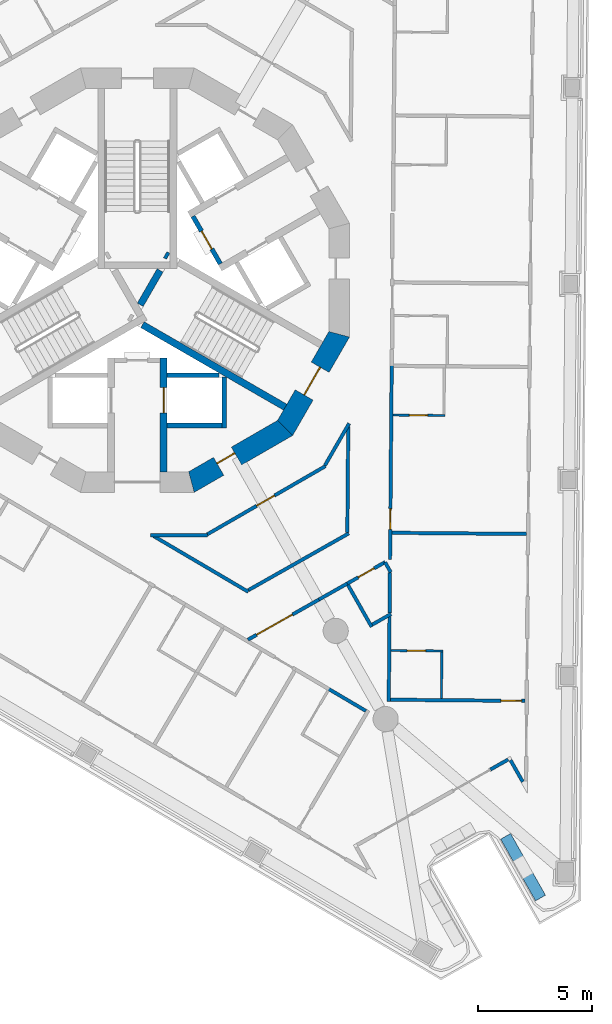
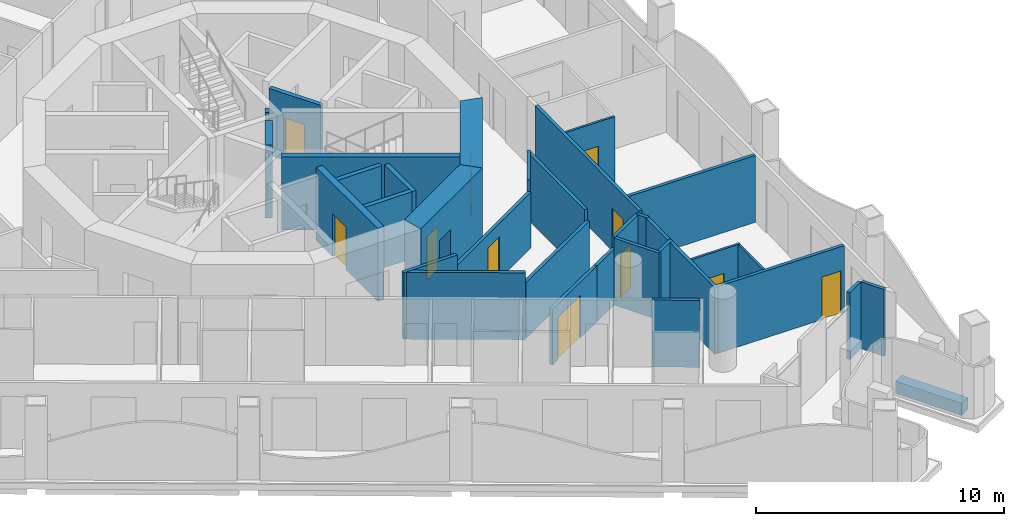
# One storey, part 5 of 17: 34 walls, 11 doors, 11 openings.
"""IFC4 building model written with IfcOpenShell, lengths in metres."""

import ifcopenshell
import ifcopenshell.guid

model = None  # the IFC model being written
_history = None  # IfcOwnerHistory: only IFC2X3 demands one
_inside = {}  # id of a spatial element -> (the spatial element, [elements in it])
_under = {}  # id of a project, library or spatial element -> (it, [spatial elements below it])
_declared = {}  # id of a project -> (the project, [libraries it declares])
_typed = {}  # id of a type object -> (the type object, [elements of that type])
_made_of = {}  # id of a material, layer set ... -> (it, [elements and type objects made of it])


def new_model(schema):
    """Start an empty IFC model of exactly this schema.

    Asked for "IFC4X3", IfcOpenShell would pick the latest addendum, in which some entities
    have other attributes; the version numbers below select the first issue.
    IFC2X3 requires an IfcOwnerHistory on every rooted entity: one is made here for all.
    """
    global model, _history
    if schema == "IFC4X3":
        model = ifcopenshell.file(schema_version=(4, 3, 0, 0))
    else:
        model = ifcopenshell.file(schema=schema)
    _inside.clear()
    _under.clear()
    _declared.clear()
    _typed.clear()
    _made_of.clear()
    _history = None
    if model.schema == "IFC2X3":
        org = make("IfcOrganization", Name="unknown")
        user = make(
            "IfcPersonAndOrganization",
            ThePerson=make("IfcPerson", FamilyName="unknown"),
            TheOrganization=org,
        )
        app = make(
            "IfcApplication",
            ApplicationDeveloper=org,
            Version="unknown",
            ApplicationFullName="unknown",
            ApplicationIdentifier="unknown",
        )
        _history = make(
            "IfcOwnerHistory",
            OwningUser=user,
            OwningApplication=app,
            ChangeAction="ADDED",
            CreationDate=0,
        )
    return model


def make(cls, **values):
    """One entity of the class cls with the attributes given. An attribute that is None is left unset."""
    return model.create_entity(
        cls, **{name: value for name, value in values.items() if value is not None}
    )


def rooted(cls, **values):
    """An entity with a GlobalId (a new one), such as an element, a storey or a relation."""
    return make(cls, GlobalId=ifcopenshell.guid.new(), OwnerHistory=_history, **values)


def si_unit(unit_type, name, prefix=None):
    """IfcSIUnit, for example si_unit("LENGTHUNIT", "METRE", prefix="MILLI")."""
    return make("IfcSIUnit", UnitType=unit_type, Prefix=prefix, Name=name)


def assignment(units):
    """IfcUnitAssignment: the units of a project."""
    return None if units is None else make("IfcUnitAssignment", Units=units)


def point(xyz):
    """IfcCartesianPoint."""
    return None if xyz is None else make("IfcCartesianPoint", Coordinates=xyz)


def direction(xyz):
    """IfcDirection."""
    return None if xyz is None else make("IfcDirection", DirectionRatios=xyz)


def frame(location, z_axis=None, x_axis=None):
    """IfcAxis2Placement3D, a coordinate frame: its origin and axes. An axis left out is left unset."""
    return make(
        "IfcAxis2Placement3D",
        Location=point(location),
        Axis=direction(z_axis),
        RefDirection=direction(x_axis),
    )


def frame_2d(location, x_axis=None):
    """IfcAxis2Placement2D, a coordinate frame in the plane: its origin and x axis."""
    return make(
        "IfcAxis2Placement2D", Location=point(location), RefDirection=direction(x_axis)
    )


def origin():
    """The frame at (0, 0, 0) with its axes left unset."""
    return frame((0.0, 0.0, 0.0))


def place(relative_to, where):
    """IfcLocalPlacement: puts the frame where relative to a parent placement (None: the world)."""
    return make(
        "IfcLocalPlacement", PlacementRelTo=relative_to, RelativePlacement=where
    )


def context(
    kind, dimensions, precision=None, world=None, true_north=None, identifier=None
):
    """IfcGeometricRepresentationContext, for example the 3D "Model" context."""
    return make(
        "IfcGeometricRepresentationContext",
        ContextIdentifier=identifier,
        ContextType=kind,
        CoordinateSpaceDimension=dimensions,
        Precision=precision,
        WorldCoordinateSystem=world,
        TrueNorth=true_north,
    )


def subcontext(parent, identifier, kind, view, scale=None):
    """IfcGeometricRepresentationSubContext, for example "Body" below "Model"."""
    return make(
        "IfcGeometricRepresentationSubContext",
        ContextIdentifier=identifier,
        ContextType=kind,
        ParentContext=parent,
        TargetScale=scale,
        TargetView=view,
    )


def project(units=None, contexts=None):
    """IfcProject with its units and contexts."""
    return rooted(
        "IfcProject",
        Name="project",
        RepresentationContexts=contexts,
        UnitsInContext=assignment(units),
    )


def spatial(cls, under=None, at=None, **own):
    """A site, building, storey or space (cls), placed at a placement, below another one or the project."""
    s = rooted(cls, ObjectPlacement=at, **own)
    if under is not None:
        _under.setdefault(under.id(), (under, []))[1].append(s)
    return s


def polyline(points):
    """IfcPolyline through the points."""
    return make("IfcPolyline", Points=[point(p) for p in points])


def profile(cls, at=None, kind="AREA", **sizes):
    """A parametric profile (cls). Its sizes go by their IFC names, for example OverallWidth=200.0."""
    return make(cls, ProfileType=kind, Position=at, **sizes)


def rectangle(**sizes):
    """IfcRectangleProfileDef."""
    return profile("IfcRectangleProfileDef", **sizes)


def outline(outer, holes=None, kind="AREA"):
    """IfcArbitraryClosedProfileDef: a profile drawn as a closed curve; with holes, ...WithVoids."""
    if holes is None:
        return make("IfcArbitraryClosedProfileDef", ProfileType=kind, OuterCurve=outer)
    return make(
        "IfcArbitraryProfileDefWithVoids",
        ProfileType=kind,
        OuterCurve=outer,
        InnerCurves=holes,
    )


def extrude(swept, where, along, depth):
    """IfcExtrudedAreaSolid: the profile swept, set in the frame where, extruded along a direction by depth."""
    return make(
        "IfcExtrudedAreaSolid",
        SweptArea=swept,
        Position=where,
        ExtrudedDirection=direction(along),
        Depth=depth,
    )


def shape(context_of_items, identifier, shape_type, items):
    """IfcShapeRepresentation: the items that make up one representation, for example the "Body"."""
    return make(
        "IfcShapeRepresentation",
        ContextOfItems=context_of_items,
        RepresentationIdentifier=identifier,
        RepresentationType=shape_type,
        Items=items,
    )


def material(Name=None, Category=None):
    """IfcMaterial."""
    return make("IfcMaterial", Name=Name, Category=Category)


def layer(
    of_material, thickness, ventilated=None, Name=None, Category=None, Priority=None
):
    """IfcMaterialLayer: one layer of a wall or slab, of a material (None: an air gap)."""
    return make(
        "IfcMaterialLayer",
        Material=of_material,
        LayerThickness=thickness,
        IsVentilated=ventilated,
        Name=Name,
        Category=Category,
        Priority=Priority,
    )


def layer_set(layers, Name=None):
    """IfcMaterialLayerSet."""
    return make("IfcMaterialLayerSet", MaterialLayers=layers, LayerSetName=Name)


def made_of(thing, what):
    """Note that an element or type object is made of a material, layer set ...; save() writes the relation."""
    if what is not None:
        _made_of.setdefault(what.id(), (what, []))[1].append(thing)
    return thing


def type_object(cls, material=None, **own):
    """A type object (cls), such as IfcWallType, which elements share."""
    return made_of(rooted(cls, **own), material)


def element(
    cls,
    number,
    at=None,
    inside=None,
    cuts=None,
    type_object=None,
    material=None,
    context=None,
    identifier="Body",
    shape_type=None,
    held_by="IfcProductDefinitionShape",
    body=None,
    shapes=None,
    **own,
):
    """One element of the class cls, such as IfcWall. Its Tag is "e" and its number.

    at: its placement. inside: the storey or other place that contains it. cuts: it is an
    opening in that element (IfcRelVoidsElement). A single representation is given by context,
    identifier, shape_type and body (its items); several are given by shapes. held_by: the class
    of the entity that holds the representations. save() writes the other relations.
    """
    e = rooted(cls, Tag="e%d" % number, ObjectPlacement=at, **own)
    if body is not None:
        shapes = [shape(context, identifier, shape_type, body)]
    if shapes is not None:
        e.Representation = make(held_by, Representations=shapes)
    if inside is not None:
        _inside.setdefault(inside.id(), (inside, []))[1].append(e)
    if cuts is not None:
        rooted(
            "IfcRelVoidsElement", RelatingBuildingElement=cuts, RelatedOpeningElement=e
        )
    if type_object is not None:
        _typed.setdefault(type_object.id(), (type_object, []))[1].append(e)
    return made_of(e, material)


def fill(opening, filler):
    """IfcRelFillsElement: the door or window that sits in an opening."""
    return rooted(
        "IfcRelFillsElement",
        RelatingOpeningElement=opening,
        RelatedBuildingElement=filler,
    )


def aggregate(whole, parts):
    """IfcRelAggregates: a whole, such as a stair, and the parts it consists of."""
    return rooted("IfcRelAggregates", RelatingObject=whole, RelatedObjects=parts)


def save(model, path):
    """Write the relations noted so far, then the file.

    IfcRelAggregates (storeys below a building ...), IfcRelContainedInSpatialStructure (elements
    in a storey), IfcRelDefinesByType, IfcRelAssociatesMaterial and IfcRelDeclares: one each for
    every whole, place, type object, material and project.
    """
    for whole, parts in _under.values():
        aggregate(whole, parts)
    for where, things in _inside.values():
        rooted(
            "IfcRelContainedInSpatialStructure",
            RelatedElements=things,
            RelatingStructure=where,
        )
    for kind, things in _typed.values():
        rooted("IfcRelDefinesByType", RelatedObjects=things, RelatingType=kind)
    for what, things in _made_of.values():
        rooted("IfcRelAssociatesMaterial", RelatedObjects=things, RelatingMaterial=what)
    for by, libraries in _declared.values():
        rooted("IfcRelDeclares", RelatingContext=by, RelatedDefinitions=libraries)
    model.write(path)


model = new_model("IFC4")

# Units and contexts
model_context = context("Model", 3, precision=1e-05, world=origin(), true_north=direction((0.0, 1.0)))
body_context = subcontext(model_context, "Body", "Model", "MODEL_VIEW")
ifc_project = project(units=[si_unit("LENGTHUNIT", "METRE"), si_unit("AREAUNIT", "SQUARE_METRE"), si_unit("VOLUMEUNIT", "CUBIC_METRE"), si_unit("PLANEANGLEUNIT", "RADIAN"), si_unit("MASSUNIT", "GRAM", prefix="KILO")], contexts=[model_context])

# Site, building, storey
site_placement = place(None, origin())
site = spatial("IfcSite", under=ifc_project, at=site_placement, CompositionType="ELEMENT")
building_placement = place(site_placement, origin())
building = spatial("IfcBuilding", under=site, at=building_placement, Name="Trine Commons Tower", CompositionType="ELEMENT")
storey_placement = place(building_placement, frame((0.0, 0.0, 164.699951171875)))
storey = spatial("IfcBuildingStorey", under=building, at=storey_placement, Name="L42", CompositionType="ELEMENT", Elevation=164.699951171875)

# Walls
ifc_material_1 = material(Name="Aluminium-framed insulated wall panel", Category="aluminium")
ifc_layer_1 = layer(ifc_material_1, 0.14990234375)
ifc_layer_set_1 = layer_set([ifc_layer_1], Name="Aluminium-framed insulated wall panel")
wall_type_1 = type_object("IfcWallType", Name="Glazed frame wall 150, EI 60", PredefinedType="SOLIDWALL", material=ifc_layer_set_1)
wall_1_placement = place(storey_placement, frame((96.91552734375, 40.450927734375, 0.0), z_axis=(0.0, 0.0, 1.0), x_axis=(-0.492439994984, 0.870346397327, 0.0)))
element("IfcWall", 1, at=wall_1_placement, inside=storey, type_object=wall_type_1, Name="Glazed frame wall R9", PredefinedType="SOLIDWALL", context=body_context, shape_type="SweptSolid", body=[
    extrude(outline(polyline([(0.1494140625, 0.074951171875), (0.1494140625, -0.074951171875), (1.235107421875, -0.074951171875), (1.235107421875, 0.074951171875), (0.1494140625, 0.074951171875)])), origin(), (0.0, 0.0, 1.0), 3.300048828125),
])
wall_2_placement = place(storey_placement, frame((96.30078125, 41.6083984375, 0.0), z_axis=(0.0, 0.0, 1.0), x_axis=(-0.870353598469, -0.492427267353, 0.0)))
element("IfcWall", 2, at=wall_2_placement, inside=storey, type_object=wall_type_1, Name="Glazed frame wall P3.1", PredefinedType="SOLIDWALL", context=body_context, shape_type="SweptSolid", body=[
    extrude(outline(polyline([(0.110107421875, -0.074951171875), (1.0, -0.074951171875), (1.0, 0.074951171875), (0.110107421875, 0.074951171875), (0.110107421875, -0.074951171875)])), origin(), (0.0, 0.0, 1.0), 3.300048828125),
])

# Wall, opening, door
ifc_material_2 = material(Name="Fire-rated gypsum shaft wall system")
ifc_layer_2 = layer(ifc_material_2, 0.199951171875)
ifc_layer_set_2 = layer_set([ifc_layer_2], Name="Fire-rated gypsum shaft wall system")
wall_type_2 = type_object("IfcWallType", Name="Lobby end wall 200 mm, EI 120", PredefinedType="PARTITIONING", material=ifc_layer_set_2)
wall_3_placement = place(storey_placement, frame((83.631103515625, 63.2109375, 0.0), z_axis=(0.0, 0.0, 1.0), x_axis=(-0.50012165622, 0.865955154139, 0.0)))
wall_3 = element("IfcWall", 3, at=wall_3_placement, inside=storey, type_object=wall_type_2, Name="Lobby end wall L42", PredefinedType="PARTITIONING", context=body_context, shape_type="SweptSolid", body=[
    extrude(rectangle(XDim=2.39990234375, YDim=0.199951171875, at=frame_2d((1.199951171875, 0.0))), origin(), (0.0, 0.0, 1.0), 3.300048828125),
])
opening_1_placement = place(wall_3_placement, frame((0.749755859375, 0.0, 0.0)))
opening_1 = element("IfcOpeningElement", 4, at=opening_1_placement, cuts=wall_3, Name="Opening K09.05", PredefinedType="OPENING", context=body_context, shape_type="SweptSolid", body=[
    extrude(rectangle(XDim=0.89990234375, YDim=2.10009765625, at=frame_2d((0.449951171875, 1.050048828125))), frame((0.0, 0.10986328125, 0.0), z_axis=(0.0, -1.0, 0.0), x_axis=(1.0, 0.0, 0.0)), (0.0, 0.0, 1.0), 0.219970703125),
])
ifc_material_3 = material(Name="Steel door leaf, fire-rated", Category="steel")
door_type_1 = type_object("IfcDoorType", Name="Riser access door, single leaf 900 x 2100, FD60", OperationType="SINGLE_SWING_LEFT", PredefinedType="DOOR", material=ifc_material_3)
door_1_placement = place(opening_1_placement, frame((0.89990234375, 0.0, 0.0), z_axis=(0.0, 0.0, 1.0), x_axis=(-1.0, 0.0, 0.0)))
door_1 = element("IfcDoor", 5, at=door_1_placement, inside=storey, type_object=door_type_1, Name="Riser door, Electrical riser L42", OperationType="SINGLE_SWING_LEFT", OverallHeight=2.10009765625, OverallWidth=0.89990234375, PredefinedType="DOOR", context=body_context, shape_type="SweptSolid", body=[
    extrude(rectangle(XDim=0.89990234375, YDim=2.10009765625, at=frame_2d((0.449951171875, 1.050048828125))), frame((0.0, 0.02490234375, 0.0), z_axis=(0.0, -1.0, 0.0), x_axis=(1.0, 0.0, 0.0)), (0.0, 0.0, 1.0), 0.050048828125),
])
fill(opening_1, door_1)

# Wall
ifc_material_4 = material(Name="Planter trough, precast concrete C40/50", Category="concrete")
ifc_layer_3 = layer(ifc_material_4, 0.5)
ifc_layer_set_3 = layer_set([ifc_layer_3], Name="Planter trough, precast concrete C40/50")
wall_type_3 = type_object("IfcWallType", Name="Planter trough 500x600", PredefinedType="PARAPET", material=ifc_layer_set_3)
wall_4_placement = place(storey_placement, frame((97.619384765625, 35.500732421875, 0.0), z_axis=(0.0, 0.0, 1.0), x_axis=(-0.492428288095, 0.870353020954, 0.0)))
element("IfcWall", 6, at=wall_4_placement, inside=storey, type_object=wall_type_3, Name="Planter 7", PredefinedType="PARAPET", context=body_context, shape_type="SweptSolid", body=[
    extrude(rectangle(XDim=3.10009765625, YDim=0.5, at=frame_2d((1.550048828125, 0.0))), origin(), (0.0, 0.0, 1.0), 0.60009765625),
])

# Wall, opening, door
ifc_material_5 = material(Name="Concrete C60/75", Category="concrete")
ifc_layer_4 = layer(ifc_material_5, 0.300048828125)
ifc_layer_set_4 = layer_set([ifc_layer_4], Name="Concrete C60/75")
wall_type_4 = type_object("IfcWallType", Name="RC shear wall 300 mm, C60/75", PredefinedType="SHEAR", material=ifc_layer_set_4)
wall_5_placement = place(storey_placement, frame((81.14990234375, 59.10009765625, 0.0), z_axis=(0.0, 0.0, 1.0), x_axis=(0.0, -1.0, 0.0)))
wall_5 = element("IfcWall", 7, at=wall_5_placement, inside=storey, type_object=wall_type_4, Name="Core cross wall SWB-04 L42", PredefinedType="SHEAR", context=body_context, shape_type="SweptSolid", body=[
    extrude(rectangle(XDim=4.97314453125, YDim=0.300048828125, at=frame_2d((2.486572265625, 0.0))), origin(), (0.0, 0.0, 1.0), 3.60009765625),
])
opening_2_placement = place(wall_5_placement, frame((1.300048828125, 0.0, 0.0)))
opening_2 = element("IfcOpeningElement", 8, at=opening_2_placement, cuts=wall_5, Name="Opening LD9", PredefinedType="OPENING", context=body_context, shape_type="SweptSolid", body=[
    extrude(rectangle(XDim=1.10009765625, YDim=2.10009765625, at=frame_2d((0.550048828125, 1.050048828125))), frame((0.0, 0.159912109375, 0.0), z_axis=(0.0, -1.0, 0.0), x_axis=(1.0, 0.0, 0.0)), (0.0, 0.0, 1.0), 0.320068359375),
])
ifc_material_6 = material(Name="Stainless steel sliding door leaves", Category="steel")
door_type_2 = type_object("IfcDoorType", Name="Lift landing door, centre-opening sliding 1100 x 2100, FD90", OperationType="DOUBLE_DOOR_SLIDING", PredefinedType="DOOR", material=ifc_material_6)
door_2_placement = place(opening_2_placement, origin())
door_2 = element("IfcDoor", 9, at=door_2_placement, inside=storey, type_object=door_type_2, Name="Lift landing door FF1 L42", OperationType="DOUBLE_DOOR_SLIDING", OverallHeight=2.10009765625, OverallWidth=1.10009765625, PredefinedType="DOOR", context=body_context, shape_type="SweptSolid", body=[
    extrude(rectangle(XDim=1.10009765625, YDim=2.10009765625, at=frame_2d((0.550048828125, 1.050048828125))), frame((0.0, 0.02490234375, 0.0), z_axis=(0.0, -1.0, 0.0), x_axis=(1.0, 0.0, 0.0)), (0.0, 0.0, 1.0), 0.050048828125),
])
fill(opening_2, door_2)

# Walls
wall_6_placement = place(storey_placement, frame((80.1298828125, 61.424072265625, 0.0), z_axis=(0.0, 0.0, 1.0), x_axis=(0.500014901547, 0.866016800201, 0.0)))
element("IfcWall", 10, at=wall_6_placement, inside=storey, type_object=wall_type_4, Name="Core cross wall SWB-12 L42", PredefinedType="SHEAR", context=body_context, shape_type="SweptSolid", body=[
    extrude(rectangle(XDim=1.734375, YDim=0.300048828125, at=frame_2d((0.8671875, 0.0))), origin(), (0.0, 0.0, 1.0), 3.60009765625),
])
wall_7_placement = place(storey_placement, frame((80.22509765625, 60.552001953125, 0.0), z_axis=(0.0, 0.0, 1.0), x_axis=(0.866028135082, -0.499995269223, 0.0)))
element("IfcWall", 11, at=wall_7_placement, inside=storey, type_object=wall_type_4, Name="Core cross wall SWB-13 L42", PredefinedType="SHEAR", context=body_context, shape_type="SweptSolid", body=[
    extrude(rectangle(XDim=7.2041015625, YDim=0.300048828125, at=frame_2d((3.60205078125, 0.0))), origin(), (0.0, 0.0, 1.0), 3.60009765625),
])
wall_8_placement = place(storey_placement, frame((81.220947265625, 63.614013671875, 0.0), z_axis=(0.0, 0.0, 1.0), x_axis=(0.867737973955, -0.497021939713, 0.0)))
element("IfcWall", 12, at=wall_8_placement, inside=storey, type_object=wall_type_4, Name="Core cross wall SWB-15 L42", PredefinedType="SHEAR", context=body_context, shape_type="SweptSolid", body=[
    extrude(rectangle(XDim=0.14892578125, YDim=0.300048828125, at=frame_2d((0.074462890625, 0.0))), origin(), (0.0, 0.0, 1.0), 3.60009765625),
])

# Wall, opening, door
ifc_layer_5 = layer(ifc_material_5, 0.89990234375)
ifc_layer_set_5 = layer_set([ifc_layer_5], Name="Concrete C60/75")
wall_type_5 = type_object("IfcWallType", Name="RC shear wall 900 mm, C60/75", PredefinedType="SHEAR", material=ifc_layer_set_5)
wall_9_placement = place(storey_placement, frame((82.259765625, 53.61669921875, 0.0), z_axis=(0.0, 0.0, 1.0), x_axis=(0.866003133579, 0.500038571144, 0.0)))
wall_9 = element("IfcWall", 13, at=wall_9_placement, inside=storey, type_object=wall_type_5, Name="Core wall CWE-11 L42", PredefinedType="SHEAR", context=body_context, shape_type="SweptSolid", body=[
    extrude(outline(polyline([(0.0, -0.449951171875), (4.96923828125, -0.449951171875), (4.72802734375, 0.449951171875), (0.2412109375, 0.449951171875), (0.0, -0.449951171875)])), origin(), (0.0, 0.0, 1.0), 3.60009765625),
])
opening_3_placement = place(wall_9_placement, frame((1.4951171875, 0.0, 0.0)))
opening_3 = element("IfcOpeningElement", 14, at=opening_3_placement, cuts=wall_9, Name="Opening K09.15", PredefinedType="OPENING", context=body_context, shape_type="SweptSolid", body=[
    extrude(rectangle(XDim=0.89990234375, YDim=2.10009765625, at=frame_2d((0.449951171875, 1.050048828125))), frame((0.0, 0.4599609375, 0.0), z_axis=(0.0, -1.0, 0.0), x_axis=(1.0, 0.0, 0.0)), (0.0, 0.0, 1.0), 0.919921875),
])
door_type_3 = type_object("IfcDoorType", Name="Core room door, single leaf 900 x 2100, FD30S", OperationType="SINGLE_SWING_LEFT", PredefinedType="DOOR", material=ifc_material_3)
door_3_placement = place(opening_3_placement, origin())
door_3 = element("IfcDoor", 15, at=door_3_placement, inside=storey, type_object=door_type_3, Name="Door to Accessible WC L42", OperationType="SINGLE_SWING_LEFT", OverallHeight=2.10009765625, OverallWidth=0.89990234375, PredefinedType="DOOR", context=body_context, shape_type="SweptSolid", body=[
    extrude(rectangle(XDim=0.89990234375, YDim=2.10009765625, at=frame_2d((0.449951171875, 1.050048828125))), frame((0.0, 0.1748046875, 0.0), z_axis=(0.0, -1.0, 0.0), x_axis=(1.0, 0.0, 0.0)), (0.0, 0.0, 1.0), 0.050048828125),
])
fill(opening_3, door_3)

wall_10_placement = place(storey_placement, frame((86.3984375, 55.936767578125, 0.0), z_axis=(0.0, 0.0, 1.0), x_axis=(0.500038571144, 0.866003133579, 0.0)))
wall_10 = element("IfcWall", 16, at=wall_10_placement, inside=storey, type_object=wall_type_5, Name="Core wall CWE-12 L42", PredefinedType="SHEAR", context=body_context, shape_type="SweptSolid", body=[
    extrude(outline(polyline([(0.0, -0.449951171875), (4.96923828125, -0.449951171875), (4.72802734375, 0.449951171875), (0.2412109375, 0.449951171875), (0.0, -0.449951171875)])), origin(), (0.0, 0.0, 1.0), 3.60009765625),
])
opening_4_placement = place(wall_10_placement, frame((1.78466796875, 0.0, 0.0)))
opening_4 = element("IfcOpeningElement", 17, at=opening_4_placement, cuts=wall_10, Name="Opening K09.03", PredefinedType="OPENING", context=body_context, shape_type="SweptSolid", body=[
    extrude(rectangle(XDim=1.39990234375, YDim=2.10009765625, at=frame_2d((0.699951171875, 1.050048828125))), frame((0.0, 0.4599609375, 0.0), z_axis=(0.0, -1.0, 0.0), x_axis=(1.0, 0.0, 0.0)), (0.0, 0.0, 1.0), 0.919921875),
])
ifc_material_7 = material(Name="Steel door leaves, fire-rated", Category="steel")
door_type_4 = type_object("IfcDoorType", Name="Stair door, double leaf 1400 x 2100, FD90", OperationType="DOUBLE_DOOR_SINGLE_SWING", PredefinedType="DOOR", material=ifc_material_7)
door_4_placement = place(opening_4_placement, origin())
door_4 = element("IfcDoor", 18, at=door_4_placement, inside=storey, type_object=door_type_4, Name="Stair door to Exit stair ST3B L42", OperationType="DOUBLE_DOOR_SINGLE_SWING", OverallHeight=2.10009765625, OverallWidth=1.39990234375, PredefinedType="DOOR", context=body_context, shape_type="SweptSolid", body=[
    extrude(rectangle(XDim=1.39990234375, YDim=2.10009765625, at=frame_2d((0.699951171875, 1.050048828125))), frame((0.0, 0.02490234375, 0.0), z_axis=(0.0, -1.0, 0.0), x_axis=(1.0, 0.0, 0.0)), (0.0, 0.0, 1.0), 0.050048828125),
])
fill(opening_4, door_4)

# Walls
ifc_layer_6 = layer(ifc_material_2, 0.199951171875)
ifc_layer_set_6 = layer_set([ifc_layer_6], Name="Fire-rated gypsum shaft wall system")
wall_type_6 = type_object("IfcWallType", Name="Shaft wall 200 mm, EI 120", PredefinedType="PARTITIONING", material=ifc_layer_set_6)
wall_11_placement = place(storey_placement, frame((81.300048828125, 56.14990234375, 0.0), z_axis=(0.0, 0.0, 1.0), x_axis=(1.0, 0.0, 0.0)))
element("IfcWall", 19, at=wall_11_placement, inside=storey, type_object=wall_type_6, Name="Shaft wall L42", PredefinedType="PARTITIONING", context=body_context, shape_type="SweptSolid", body=[
    extrude(rectangle(XDim=2.39990234375, YDim=0.199951171875, at=frame_2d((1.199951171875, 0.0))), origin(), (0.0, 0.0, 1.0), 3.300048828125),
])
wall_12_placement = place(storey_placement, frame((81.300048828125, 58.35009765625, 0.0), z_axis=(0.0, 0.0, 1.0), x_axis=(1.0, 0.0, 0.0)))
element("IfcWall", 20, at=wall_12_placement, inside=storey, type_object=wall_type_6, Name="Shaft wall L42", PredefinedType="PARTITIONING", context=body_context, shape_type="SweptSolid", body=[
    extrude(rectangle(XDim=2.264892578125, YDim=0.199951171875, at=frame_2d((1.13232421875, 0.0))), origin(), (0.0, 0.0, 1.0), 3.300048828125),
])
wall_13_placement = place(storey_placement, frame((83.800048828125, 58.257080078125, 0.0), z_axis=(0.0, 0.0, 1.0), x_axis=(0.0, -1.0, 0.0)))
element("IfcWall", 21, at=wall_13_placement, inside=storey, type_object=wall_type_6, Name="Shaft wall L42", PredefinedType="PARTITIONING", context=body_context, shape_type="SweptSolid", body=[
    extrude(rectangle(XDim=2.20703125, YDim=0.199951171875, at=frame_2d((1.103515625, 0.0))), origin(), (0.0, 0.0, 1.0), 3.300048828125),
])
ifc_material_8 = material(Name="Gypsum plasterboard on steel stud", Category="steel")
ifc_layer_7 = layer(ifc_material_8, 0.14990234375)
ifc_layer_set_7 = layer_set([ifc_layer_7], Name="Gypsum plasterboard on steel stud")
wall_type_7 = type_object("IfcWallType", Name="Unit and corridor wall 150 mm, EI 60", PredefinedType="PARTITIONING", material=ifc_layer_set_7)
wall_14_placement = place(storey_placement, frame((80.574951171875, 51.35205078125, 0.0), z_axis=(0.0, 0.0, 1.0), x_axis=(1.0, 0.0, 0.0)))
element("IfcWall", 22, at=wall_14_placement, inside=storey, type_object=wall_type_7, Name="Partition 064", PredefinedType="PARTITIONING", context=body_context, shape_type="SweptSolid", body=[
    extrude(rectangle(XDim=2.487060546875, YDim=0.14990234375, at=frame_2d((1.24365234375, 0.0))), origin(), (0.0, 0.0, 1.0), 3.300048828125),
])
wall_15_placement = place(storey_placement, frame((80.718505859375, 51.31396484375, 0.0), z_axis=(0.0, 0.0, 1.0), x_axis=(0.86168823453, -0.507438061711, 0.0)))
element("IfcWall", 23, at=wall_15_placement, inside=storey, type_object=wall_type_7, Name="Partition 065", PredefinedType="PARTITIONING", context=body_context, shape_type="SweptSolid", body=[
    extrude(rectangle(XDim=4.798828125, YDim=0.14990234375, at=frame_2d((2.3994140625, 0.0))), origin(), (0.0, 0.0, 1.0), 3.300048828125),
])

# Wall, opening, door
wall_16_placement = place(storey_placement, frame((83.052001953125, 51.389404296875, 0.0), z_axis=(0.0, 0.0, 1.0), x_axis=(0.866039280689, 0.499975963725, 0.0)))
wall_16 = element("IfcWall", 24, at=wall_16_placement, inside=storey, type_object=wall_type_7, Name="Partition 078", PredefinedType="PARTITIONING", context=body_context, shape_type="SweptSolid", body=[
    extrude(rectangle(XDim=5.974365234375, YDim=0.14990234375, at=frame_2d((2.9873046875, 0.0))), origin(), (0.0, 0.0, 1.0), 2.75),
])
opening_5_placement = place(wall_16_placement, frame((2.499755859375, 0.0, 0.0)))
opening_5 = element("IfcOpeningElement", 25, at=opening_5_placement, cuts=wall_16, Name="Opening D-5A26", PredefinedType="OPENING", context=body_context, shape_type="SweptSolid", body=[
    extrude(rectangle(XDim=0.89990234375, YDim=2.10009765625, at=frame_2d((0.449951171875, 1.050048828125))), frame((0.0, 0.0849609375, 0.0), z_axis=(0.0, -1.0, 0.0), x_axis=(1.0, 0.0, 0.0)), (0.0, 0.0, 1.0), 0.169921875),
])
ifc_material_9 = material(Name="Timber fire door set", Category="wood")
door_type_5 = type_object("IfcDoorType", Name="Service door 900 x 2100, FD30S", OperationType="NOTDEFINED", PredefinedType="DOOR", material=ifc_material_9)
door_5_placement = place(opening_5_placement, frame((0.89990234375, 0.0, 0.0), z_axis=(0.0, 0.0, 1.0), x_axis=(-1.0, 0.0, 0.0)))
door_5 = element("IfcDoor", 26, at=door_5_placement, inside=storey, type_object=door_type_5, Name="Door D-5A26", OperationType="SINGLE_SWING_RIGHT", OverallHeight=2.10009765625, OverallWidth=0.89990234375, PredefinedType="DOOR", context=body_context, shape_type="SweptSolid", body=[
    extrude(rectangle(XDim=0.89990234375, YDim=2.10009765625, at=frame_2d((0.449951171875, 1.050048828125))), frame((0.0, 0.02490234375, 0.0), z_axis=(0.0, -1.0, 0.0), x_axis=(1.0, 0.0, 0.0)), (0.0, 0.0, 1.0), 0.050048828125),
])
fill(opening_5, door_5)

wall_17_placement = place(storey_placement, frame((84.835205078125, 46.788818359375, 0.0), z_axis=(0.0, 0.0, 1.0), x_axis=(0.870381542182, 0.492377874228, 0.0)))
wall_17 = element("IfcWall", 27, at=wall_17_placement, inside=storey, type_object=wall_type_7, Name="Partition 085", PredefinedType="PARTITIONING", context=body_context, shape_type="SweptSolid", body=[
    extrude(rectangle(XDim=3.5625, YDim=0.14990234375, at=frame_2d((1.78125, 0.0))), origin(), (0.0, 0.0, 1.0), 2.75),
])
opening_6_placement = place(wall_17_placement, frame((0.435546875, 0.0, 0.0)))
opening_6 = element("IfcOpeningElement", 28, at=opening_6_placement, cuts=wall_17, Name="Opening D-5A02", PredefinedType="OPENING", context=body_context, shape_type="SweptSolid", body=[
    extrude(rectangle(XDim=1.800048828125, YDim=2.10009765625, at=frame_2d((0.89990234375, 1.050048828125))), frame((0.0, 0.0849609375, 0.0), z_axis=(0.0, -1.0, 0.0), x_axis=(1.0, 0.0, 0.0)), (0.0, 0.0, 1.0), 0.169921875),
])
door_type_6 = type_object("IfcDoorType", Name="Cluster entrance door 1800 x 2100, double leaf, FD30S", OperationType="DOUBLE_DOOR_DOUBLE_SWING", PredefinedType="DOOR", material=ifc_material_9)
door_6_placement = place(opening_6_placement, frame((1.800048828125, 0.0, 0.0), z_axis=(0.0, 0.0, 1.0), x_axis=(-1.0, 0.0, 0.0)))
door_6 = element("IfcDoor", 29, at=door_6_placement, inside=storey, type_object=door_type_6, Name="Door D-5A02", OperationType="DOUBLE_DOOR_DOUBLE_SWING", OverallHeight=2.10009765625, OverallWidth=1.800048828125, PredefinedType="DOOR", context=body_context, shape_type="SweptSolid", body=[
    extrude(rectangle(XDim=1.800048828125, YDim=2.10009765625, at=frame_2d((0.89990234375, 1.050048828125))), frame((0.0, 0.02490234375, 0.0), z_axis=(0.0, -1.0, 0.0), x_axis=(1.0, 0.0, 0.0)), (0.0, 0.0, 1.0), 0.050048828125),
])
fill(opening_6, door_6)

# Walls
wall_18_placement = place(storey_placement, frame((84.854248046875, 48.953857421875, 0.0), z_axis=(0.0, 0.0, 1.0), x_axis=(0.870410364257, 0.492326921662, 0.0)))
element("IfcWall", 30, at=wall_18_placement, inside=storey, type_object=wall_type_7, Name="Partition 086", PredefinedType="PARTITIONING", context=body_context, shape_type="SweptSolid", body=[
    extrude(rectangle(XDim=5.041259765625, YDim=0.14990234375, at=frame_2d((2.5205078125, 0.0))), origin(), (0.0, 0.0, 1.0), 2.75),
])
wall_19_placement = place(storey_placement, frame((87.93603515625, 48.54296875, 0.0), z_axis=(0.0, 0.0, 1.0), x_axis=(0.870505283706, 0.492159070871, 0.0)))
element("IfcWall", 31, at=wall_19_placement, inside=storey, type_object=wall_type_7, Name="Partition 099", PredefinedType="PARTITIONING", context=body_context, shape_type="SweptSolid", body=[
    extrude(rectangle(XDim=1.422119140625, YDim=0.14990234375, at=frame_2d((0.7109375, 0.0))), origin(), (0.0, 0.0, 1.0), 2.75),
])
wall_20_placement = place(storey_placement, frame((88.198486328125, 54.404052734375, 0.0), z_axis=(0.0, 0.0, 1.0), x_axis=(0.499882057835, 0.866093487018, 0.0)))
element("IfcWall", 32, at=wall_20_placement, inside=storey, type_object=wall_type_7, Name="Partition 100", PredefinedType="PARTITIONING", context=body_context, shape_type="SweptSolid", body=[
    extrude(rectangle(XDim=2.11865234375, YDim=0.14990234375, at=frame_2d((1.059326171875, 0.0))), origin(), (0.0, 0.0, 1.0), 3.300048828125),
])
wall_21_placement = place(storey_placement, frame((88.327880859375, 44.656494140625, 0.0), z_axis=(0.0, 0.0, 1.0), x_axis=(0.861465294094, -0.507816450177, 0.0)))
element("IfcWall", 33, at=wall_21_placement, inside=storey, type_object=wall_type_7, Name="Partition 102", PredefinedType="PARTITIONING", context=body_context, shape_type="SweptSolid", body=[
    extrude(rectangle(XDim=1.9287109375, YDim=0.14990234375, at=frame_2d((0.96435546875, 0.0))), origin(), (0.0, 0.0, 1.0), 3.300048828125),
])

# Wall, opening, door
wall_22_placement = place(storey_placement, frame((89.16796875, 49.239013671875, 0.0), z_axis=(0.0, 0.0, 1.0), x_axis=(0.870049645281, 0.492964111013, 0.0)))
wall_22 = element("IfcWall", 34, at=wall_22_placement, inside=storey, type_object=wall_type_7, Name="Partition 104", PredefinedType="PARTITIONING", context=body_context, shape_type="SweptSolid", body=[
    extrude(rectangle(XDim=1.90673828125, YDim=0.14990234375, at=frame_2d((0.953369140625, 0.0))), origin(), (0.0, 0.0, 1.0), 3.300048828125),
])
opening_7_placement = place(wall_22_placement, frame((0.553466796875, 0.0, 0.0)))
opening_7 = element("IfcOpeningElement", 35, at=opening_7_placement, cuts=wall_22, Name="Opening D-5A04", PredefinedType="OPENING", context=body_context, shape_type="SweptSolid", body=[
    extrude(rectangle(XDim=0.800048828125, YDim=2.10009765625, at=frame_2d((0.39990234375, 1.050048828125))), frame((0.0, 0.0849609375, 0.0), z_axis=(0.0, -1.0, 0.0), x_axis=(1.0, 0.0, 0.0)), (0.0, 0.0, 1.0), 0.169921875),
])
ifc_material_10 = material(Name="Painted timber", Category="wood")
door_type_7 = type_object("IfcDoorType", Name="Toilet door 800 x 2100, NOT RATED", OperationType="NOTDEFINED", PredefinedType="DOOR", material=ifc_material_10)
door_7_placement = place(opening_7_placement, frame((0.800048828125, 0.0, 0.0), z_axis=(0.0, 0.0, 1.0), x_axis=(-1.0, 0.0, 0.0)))
door_7 = element("IfcDoor", 36, at=door_7_placement, inside=storey, type_object=door_type_7, Name="Door D-5A04", OperationType="SINGLE_SWING_LEFT", OverallHeight=2.10009765625, OverallWidth=0.800048828125, PredefinedType="DOOR", context=body_context, shape_type="SweptSolid", body=[
    extrude(rectangle(XDim=0.800048828125, YDim=2.10009765625, at=frame_2d((0.39990234375, 1.050048828125))), frame((0.0, 0.02490234375, 0.0), z_axis=(0.0, -1.0, 0.0), x_axis=(1.0, 0.0, 0.0)), (0.0, 0.0, 1.0), 0.050048828125),
])
fill(opening_7, door_7)

# Walls
wall_23_placement = place(storey_placement, frame((89.2080078125, 49.17578125, 0.0), z_axis=(0.0, 0.0, 1.0), x_axis=(0.492490202922, -0.870317987879, 0.0)))
element("IfcWall", 37, at=wall_23_placement, inside=storey, type_object=wall_type_7, Name="Partition 105", PredefinedType="PARTITIONING", context=body_context, shape_type="SweptSolid", body=[
    extrude(rectangle(XDim=2.099365234375, YDim=0.14990234375, at=frame_2d((1.0498046875, 0.0))), origin(), (0.0, 0.0, 1.0), 3.300048828125),
])
wall_24_placement = place(storey_placement, frame((89.177490234375, 51.47412109375, 0.0), z_axis=(0.0, 0.0, 1.0), x_axis=(0.008609896903, 0.999962934151, 0.0)))
element("IfcWall", 38, at=wall_24_placement, inside=storey, type_object=wall_type_7, Name="Partition 106", PredefinedType="PARTITIONING", context=body_context, shape_type="SweptSolid", body=[
    extrude(rectangle(XDim=4.6220703125, YDim=0.14990234375, at=frame_2d((2.31103515625, 0.0))), origin(), (0.0, 0.0, 1.0), 3.300048828125),
])
wall_25_placement = place(storey_placement, frame((90.270263671875, 47.450927734375, 0.0), z_axis=(0.0, 0.0, 1.0), x_axis=(0.870538616766, 0.492100108432, 0.0)))
element("IfcWall", 39, at=wall_25_placement, inside=storey, type_object=wall_type_7, Name="Partition 108", PredefinedType="PARTITIONING", context=body_context, shape_type="SweptSolid", body=[
    extrude(rectangle(XDim=0.938720703125, YDim=0.14990234375, at=frame_2d((0.46923828125, 0.0))), origin(), (0.0, 0.0, 1.0), 3.300048828125),
])
wall_26_placement = place(storey_placement, frame((90.823974609375, 50.177001953125, 0.0), z_axis=(0.0, 0.0, 1.0), x_axis=(0.493654600783, -0.869658056437, 0.0)))
element("IfcWall", 40, at=wall_26_placement, inside=storey, type_object=wall_type_7, Name="Partition 109", PredefinedType="PARTITIONING", context=body_context, shape_type="SweptSolid", body=[
    extrude(rectangle(XDim=0.50830078125, YDim=0.14990234375, at=frame_2d((0.254150390625, 0.0))), origin(), (0.0, 0.0, 1.0), 3.300048828125),
])
wall_27_placement = place(storey_placement, frame((90.98828125, 44.092041015625, 0.0), z_axis=(0.0, 0.0, 1.0), x_axis=(0.008789427608, 0.999961372235, 0.0)))
element("IfcWall", 41, at=wall_27_placement, inside=storey, type_object=wall_type_7, Name="Partition 110", PredefinedType="PARTITIONING", context=body_context, shape_type="SweptSolid", body=[
    extrude(rectangle(XDim=3.72216796875, YDim=0.14990234375, at=frame_2d((1.861083984375, 0.0))), origin(), (0.0, 0.0, 1.0), 3.300048828125),
])

# Wall, opening, door
wall_28_placement = place(storey_placement, frame((91.06396484375, 44.166259765625, 0.0), z_axis=(0.0, 0.0, 1.0), x_axis=(0.999962273479, -0.008686289076, 0.0)))
wall_28 = element("IfcWall", 42, at=wall_28_placement, inside=storey, type_object=wall_type_7, Name="Partition 111", PredefinedType="PARTITIONING", context=body_context, shape_type="SweptSolid", body=[
    extrude(rectangle(XDim=5.874267578125, YDim=0.14990234375, at=frame_2d((2.93701171875, 0.0))), origin(), (0.0, 0.0, 1.0), 3.300048828125),
])
opening_8_placement = place(wall_28_placement, frame((4.82421875, 0.0, 0.0)))
opening_8 = element("IfcOpeningElement", 43, at=opening_8_placement, cuts=wall_28, Name="Opening D-5A18", PredefinedType="OPENING", context=body_context, shape_type="SweptSolid", body=[
    extrude(rectangle(XDim=0.89990234375, YDim=2.10009765625, at=frame_2d((0.449951171875, 1.050048828125))), frame((0.0, 0.0849609375, 0.0), z_axis=(0.0, -1.0, 0.0), x_axis=(1.0, 0.0, 0.0)), (0.0, 0.0, 1.0), 0.169921875),
])
door_type_8 = type_object("IfcDoorType", Name="Bedroom door 900 x 2100, FD30S", OperationType="NOTDEFINED", PredefinedType="DOOR", material=ifc_material_9)
door_8_placement = place(opening_8_placement, origin())
door_8 = element("IfcDoor", 44, at=door_8_placement, inside=storey, type_object=door_type_8, Name="Door D-5A18", OperationType="SINGLE_SWING_RIGHT", OverallHeight=2.10009765625, OverallWidth=0.89990234375, PredefinedType="DOOR", context=body_context, shape_type="SweptSolid", body=[
    extrude(rectangle(XDim=0.89990234375, YDim=2.10009765625, at=frame_2d((0.449951171875, 1.050048828125))), frame((0.0, 0.02490234375, 0.0), z_axis=(0.0, -1.0, 0.0), x_axis=(1.0, 0.0, 0.0)), (0.0, 0.0, 1.0), 0.050048828125),
])
fill(opening_8, door_8)

# Wall
wall_29_placement = place(storey_placement, frame((91.022705078125, 47.950927734375, 0.0), z_axis=(0.0, 0.0, 1.0), x_axis=(0.008256220588, 0.99996591683, 0.0)))
element("IfcWall", 45, at=wall_29_placement, inside=storey, type_object=wall_type_7, Name="Partition 113", PredefinedType="PARTITIONING", context=body_context, shape_type="SweptSolid", body=[
    extrude(rectangle(XDim=1.774169921875, YDim=0.14990234375, at=frame_2d((0.88720703125, 0.0))), origin(), (0.0, 0.0, 1.0), 3.300048828125),
])

# Wall, opening, door
wall_30_placement = place(storey_placement, frame((91.0419921875, 50.300048828125, 0.0), z_axis=(0.0, 0.0, 1.0), x_axis=(0.008752775488, 0.999961693727, 0.0)))
wall_30 = element("IfcWall", 46, at=wall_30_placement, inside=storey, type_object=wall_type_7, Name="Partition 114", PredefinedType="PARTITIONING", context=body_context, shape_type="SweptSolid", body=[
    extrude(rectangle(XDim=8.53515625, YDim=0.14990234375, at=frame_2d((4.267578125, 0.0))), origin(), (0.0, 0.0, 1.0), 3.300048828125),
])
opening_9_placement = place(wall_30_placement, frame((1.31103515625, 0.0, 0.0)))
opening_9 = element("IfcOpeningElement", 47, at=opening_9_placement, cuts=wall_30, Name="Opening D-5A17", PredefinedType="OPENING", context=body_context, shape_type="SweptSolid", body=[
    extrude(rectangle(XDim=0.89990234375, YDim=2.10009765625, at=frame_2d((0.449951171875, 1.050048828125))), frame((0.0, 0.0849609375, 0.0), z_axis=(0.0, -1.0, 0.0), x_axis=(1.0, 0.0, 0.0)), (0.0, 0.0, 1.0), 0.169921875),
])
door_9_placement = place(opening_9_placement, frame((0.89990234375, 0.0, 0.0), z_axis=(0.0, 0.0, 1.0), x_axis=(-1.0, 0.0, 0.0)))
door_9 = element("IfcDoor", 48, at=door_9_placement, inside=storey, type_object=door_type_8, Name="Door D-5A17", OperationType="SINGLE_SWING_RIGHT", OverallHeight=2.10009765625, OverallWidth=0.89990234375, PredefinedType="DOOR", context=body_context, shape_type="SweptSolid", body=[
    extrude(rectangle(XDim=0.89990234375, YDim=2.10009765625, at=frame_2d((0.449951171875, 1.050048828125))), frame((0.0, 0.02490234375, 0.0), z_axis=(0.0, -1.0, 0.0), x_axis=(1.0, 0.0, 0.0)), (0.0, 0.0, 1.0), 0.050048828125),
])
fill(opening_9, door_9)

# Wall
wall_31_placement = place(storey_placement, frame((91.126953125, 51.460205078125, 0.0), z_axis=(0.0, 0.0, 1.0), x_axis=(0.999962273479, -0.008686289076, 0.0)))
element("IfcWall", 49, at=wall_31_placement, inside=storey, type_object=wall_type_7, Name="Partition 115", PredefinedType="PARTITIONING", context=body_context, shape_type="SweptSolid", body=[
    extrude(rectangle(XDim=5.874267578125, YDim=0.14990234375, at=frame_2d((2.93701171875, 0.0))), origin(), (0.0, 0.0, 1.0), 3.300048828125),
])

# Wall, opening, door
ifc_layer_8 = layer(ifc_material_8, 0.10009765625)
ifc_layer_set_8 = layer_set([ifc_layer_8], Name="Gypsum plasterboard on steel stud")
wall_type_8 = type_object("IfcWallType", Name="Unit partition 100 mm, no rating", PredefinedType="PARTITIONING", material=ifc_layer_set_8)
wall_32_placement = place(storey_placement, frame((91.08203125, 46.31640625, 0.0), z_axis=(0.0, 0.0, 1.0), x_axis=(0.999962219299, -0.008692524121, 0.0)))
wall_32 = element("IfcWall", 50, at=wall_32_placement, inside=storey, type_object=wall_type_8, Name="Partition 112", PredefinedType="PARTITIONING", context=body_context, shape_type="SweptSolid", body=[
    extrude(rectangle(XDim=2.27490234375, YDim=0.10009765625, at=frame_2d((1.137451171875, 0.0))), origin(), (0.0, 0.0, 1.0), 3.300048828125),
])
opening_10_placement = place(wall_32_placement, frame((0.71240234375, 0.0, 0.0)))
opening_10 = element("IfcOpeningElement", 51, at=opening_10_placement, cuts=wall_32, Name="Opening D-5A43", PredefinedType="OPENING", context=body_context, shape_type="SweptSolid", body=[
    extrude(rectangle(XDim=0.800048828125, YDim=2.10009765625, at=frame_2d((0.39990234375, 1.050048828125))), frame((0.0, 0.06005859375, 0.0), z_axis=(0.0, -1.0, 0.0), x_axis=(1.0, 0.0, 0.0)), (0.0, 0.0, 1.0), 0.1201171875),
])
door_type_9 = type_object("IfcDoorType", Name="Internal door 800 x 2100, NOT RATED", OperationType="NOTDEFINED", PredefinedType="DOOR", material=ifc_material_10)
door_10_placement = place(opening_10_placement, origin())
door_10 = element("IfcDoor", 52, at=door_10_placement, inside=storey, type_object=door_type_9, Name="Door D-5A43", OperationType="SINGLE_SWING_LEFT", OverallHeight=2.10009765625, OverallWidth=0.800048828125, PredefinedType="DOOR", context=body_context, shape_type="SweptSolid", body=[
    extrude(rectangle(XDim=0.800048828125, YDim=2.10009765625, at=frame_2d((0.39990234375, 1.050048828125))), frame((0.0, 0.02490234375, 0.0), z_axis=(0.0, -1.0, 0.0), x_axis=(1.0, 0.0, 0.0)), (0.0, 0.0, 1.0), 0.050048828125),
])
fill(opening_10, door_10)

wall_33_placement = place(storey_placement, frame((91.172119140625, 56.605224609375, 0.0), z_axis=(0.0, 0.0, 1.0), x_axis=(0.999963146346, -0.008585216968, 0.0)))
wall_33 = element("IfcWall", 53, at=wall_33_placement, inside=storey, type_object=wall_type_8, Name="Partition 116", PredefinedType="PARTITIONING", context=body_context, shape_type="SweptSolid", body=[
    extrude(rectangle(XDim=2.27490234375, YDim=0.10009765625, at=frame_2d((1.137451171875, 0.0))), origin(), (0.0, 0.0, 1.0), 3.300048828125),
])
opening_11_placement = place(wall_33_placement, frame((0.71240234375, 0.0, 0.0)))
opening_11 = element("IfcOpeningElement", 54, at=opening_11_placement, cuts=wall_33, Name="Opening D-5A42", PredefinedType="OPENING", context=body_context, shape_type="SweptSolid", body=[
    extrude(rectangle(XDim=0.800048828125, YDim=2.10009765625, at=frame_2d((0.39990234375, 1.050048828125))), frame((0.0, 0.06005859375, 0.0), z_axis=(0.0, -1.0, 0.0), x_axis=(1.0, 0.0, 0.0)), (0.0, 0.0, 1.0), 0.1201171875),
])
door_11_placement = place(opening_11_placement, frame((0.800048828125, 0.0, 0.0), z_axis=(0.0, 0.0, 1.0), x_axis=(-1.0, 0.0, 0.0)))
door_11 = element("IfcDoor", 55, at=door_11_placement, inside=storey, type_object=door_type_9, Name="Door D-5A42", OperationType="SINGLE_SWING_RIGHT", OverallHeight=2.10009765625, OverallWidth=0.800048828125, PredefinedType="DOOR", context=body_context, shape_type="SweptSolid", body=[
    extrude(rectangle(XDim=0.800048828125, YDim=2.10009765625, at=frame_2d((0.39990234375, 1.050048828125))), frame((0.0, 0.02490234375, 0.0), z_axis=(0.0, -1.0, 0.0), x_axis=(1.0, 0.0, 0.0)), (0.0, 0.0, 1.0), 0.050048828125),
])
fill(opening_11, door_11)

# Wall
wall_34_placement = place(storey_placement, frame((93.28955078125, 44.221923828125, 0.0), z_axis=(0.0, 0.0, 1.0), x_axis=(0.008438518102, 0.999964395072, 0.0)))
element("IfcWall", 56, at=wall_34_placement, inside=storey, type_object=wall_type_8, Name="Partition 133", PredefinedType="PARTITIONING", context=body_context, shape_type="SweptSolid", body=[
    extrude(rectangle(XDim=2.025146484375, YDim=0.10009765625, at=frame_2d((1.0126953125, 0.0))), origin(), (0.0, 0.0, 1.0), 3.300048828125),
])

save(model, "model.ifc")
